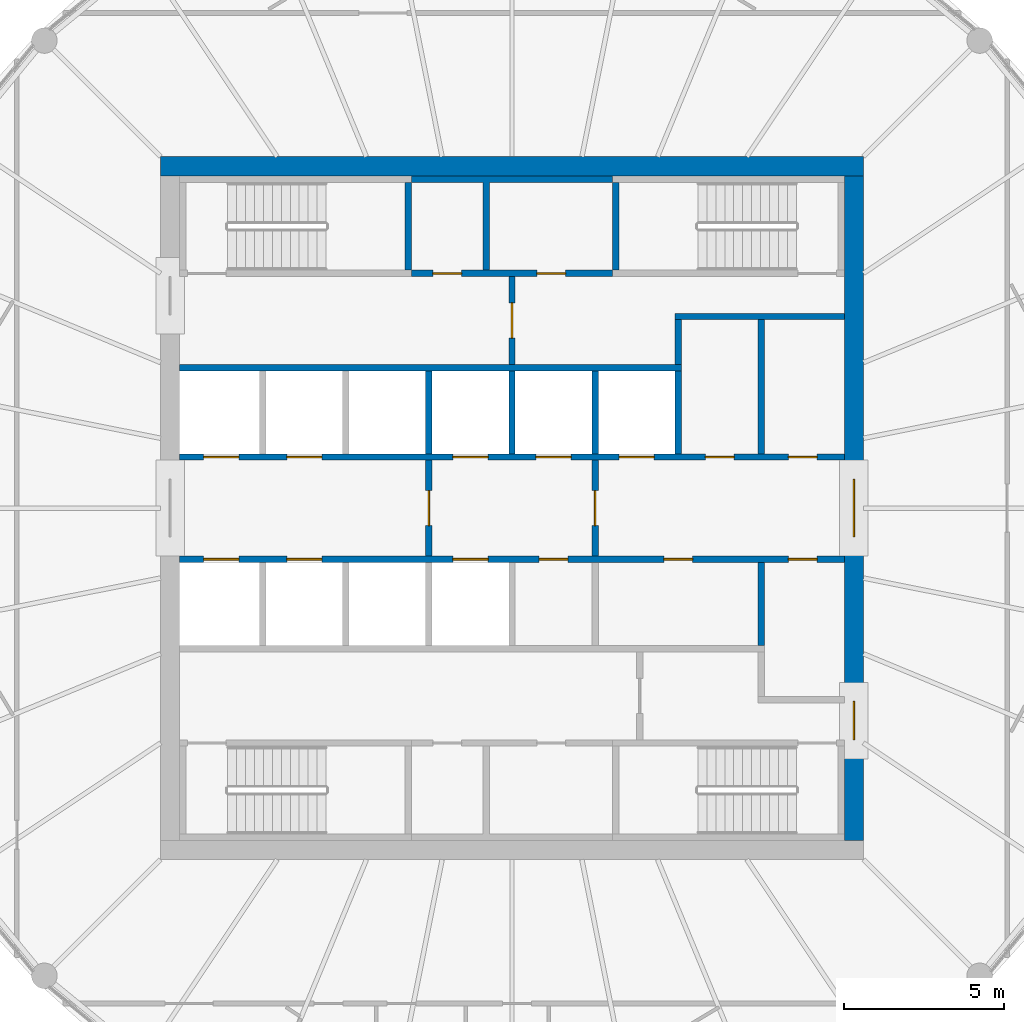
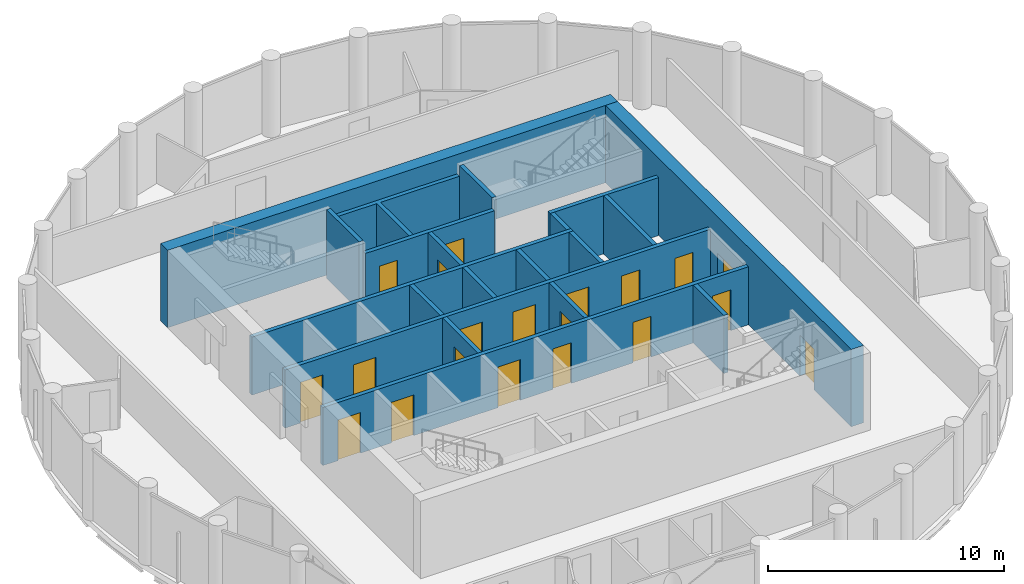
# One storey, part 5 of 7: 20 doors, 20 walls, 20 openings.
"""IFC4 building model written with IfcOpenShell, lengths in metres."""

from ifc_helpers import new_model, si_unit, direction, frame, frame_2d, origin, place, context, subcontext, project, spatial, polyline, rectangle, outline, extrude, material, layer, layer_set, type_object, element, fill, save


model = new_model("IFC4")

# Units and contexts
model_context = context("Model", 3, precision=1e-05, world=origin(), true_north=direction((0.0, 1.0)))
body_context = subcontext(model_context, "Body", "Model", "MODEL_VIEW")
ifc_project = project(units=[si_unit("LENGTHUNIT", "METRE"), si_unit("AREAUNIT", "SQUARE_METRE"), si_unit("VOLUMEUNIT", "CUBIC_METRE"), si_unit("PLANEANGLEUNIT", "RADIAN"), si_unit("MASSUNIT", "GRAM", prefix="KILO")], contexts=[model_context])

# Site, building, storey
site_placement = place(None, origin())
site = spatial("IfcSite", under=ifc_project, at=site_placement, CompositionType="ELEMENT")
building_placement = place(site_placement, origin())
building = spatial("IfcBuilding", under=site, at=building_placement, Name="Corvane Civic Tower", CompositionType="ELEMENT")
storey_placement = place(building_placement, frame((0.0, 0.0, 376.5)))
storey = spatial("IfcBuildingStorey", under=building, at=storey_placement, Name="L90", CompositionType="ELEMENT", Elevation=376.5)

# Wall
ifc_material_1 = material(Name="Concrete C40/50", Category="concrete")
ifc_layer_1 = layer(ifc_material_1, 0.60009765625)
ifc_layer_set_1 = layer_set([ifc_layer_1], Name="Concrete C40/50")
wall_type_1 = type_object("IfcWallType", Name="CORE WALL 600 C40/50", PredefinedType="SHEAR", material=ifc_layer_set_1)
wall_1_placement = place(storey_placement, frame((-11.0, 10.699951171875, 0.0), z_axis=(0.0, 0.0, 1.0), x_axis=(1.0, 0.0, 0.0)))
element("IfcWall", 1, at=wall_1_placement, inside=storey, type_object=wall_type_1, Name="W-L90-core-N", PredefinedType="SHEAR", context=body_context, shape_type="SweptSolid", body=[
    extrude(rectangle(XDim=22.0, YDim=0.60009765625, at=frame_2d((11.0, 0.0))), origin(), (0.0, 0.0, 1.0), 4.0),
])

# Wall, openings, doors
wall_2_placement = place(storey_placement, frame((10.699951171875, -10.39990234375, 0.0), z_axis=(0.0, 0.0, 1.0), x_axis=(0.0, 1.0, 0.0)))
wall_2 = element("IfcWall", 2, at=wall_2_placement, inside=storey, type_object=wall_type_1, Name="W-L90-core-E", PredefinedType="SHEAR", context=body_context, shape_type="SweptSolid", body=[
    extrude(rectangle(XDim=20.7998046875, YDim=0.60009765625, at=frame_2d((10.39990234375, 0.0))), origin(), (0.0, 0.0, 1.0), 4.0),
])
opening_1_placement = place(wall_2_placement, frame((9.5, 0.0, 0.0)))
opening_1 = element("IfcOpeningElement", 3, at=opening_1_placement, cuts=wall_2, Name="Opening L90.C19", PredefinedType="OPENING", context=body_context, shape_type="SweptSolid", body=[
    extrude(rectangle(XDim=1.800048828125, YDim=2.10009765625, at=frame_2d((0.89990234375, 1.050048828125))), frame((0.0, 0.31005859375, 0.0), z_axis=(0.0, -1.0, 0.0), x_axis=(1.0, 0.0, 0.0)), (0.0, 0.0, 1.0), 0.6201171875),
])
opening_2_placement = place(wall_2_placement, frame((3.14990234375, 0.0, 0.0)))
opening_2 = element("IfcOpeningElement", 4, at=opening_2_placement, cuts=wall_2, Name="Opening L90.C21", PredefinedType="OPENING", context=body_context, shape_type="SweptSolid", body=[
    extrude(rectangle(XDim=1.199951171875, YDim=2.10009765625, at=frame_2d((0.60009765625, 1.050048828125))), frame((0.0, 0.31005859375, 0.0), z_axis=(0.0, -1.0, 0.0), x_axis=(1.0, 0.0, 0.0)), (0.0, 0.0, 1.0), 0.6201171875),
])
ifc_material_2 = material(Name="Steel fire door leaf", Category="steel")
door_type_1 = type_object("IfcDoorType", Name="CR-DOOR-CORE-1800", OperationType="DOUBLE_DOOR_SINGLE_SWING", PredefinedType="DOOR", material=ifc_material_2)
door_1_placement = place(opening_1_placement, origin())
door_1 = element("IfcDoor", 5, at=door_1_placement, inside=storey, type_object=door_type_1, Name="L90 door", OperationType="DOUBLE_DOOR_SINGLE_SWING", OverallHeight=2.10009765625, OverallWidth=1.800048828125, PredefinedType="DOOR", context=body_context, shape_type="SweptSolid", body=[
    extrude(rectangle(XDim=1.800048828125, YDim=2.10009765625, at=frame_2d((0.89990234375, 1.050048828125))), frame((0.0, 0.02490234375, 0.0), z_axis=(0.0, -1.0, 0.0), x_axis=(1.0, 0.0, 0.0)), (0.0, 0.0, 1.0), 0.050048828125),
])
fill(opening_1, door_1)
door_2_placement = place(opening_2_placement, origin())
door_2 = element("IfcDoor", 6, at=door_2_placement, inside=storey, type_object=door_type_1, Name="L90 door", OperationType="DOUBLE_DOOR_SINGLE_SWING", OverallHeight=2.10009765625, OverallWidth=1.199951171875, PredefinedType="DOOR", context=body_context, shape_type="SweptSolid", body=[
    extrude(rectangle(XDim=1.199951171875, YDim=2.10009765625, at=frame_2d((0.60009765625, 1.050048828125))), frame((0.0, 0.02490234375, 0.0), z_axis=(0.0, -1.0, 0.0), x_axis=(1.0, 0.0, 0.0)), (0.0, 0.0, 1.0), 0.050048828125),
])
fill(opening_2, door_2)

ifc_material_3 = material(Name="Concrete C30/37", Category="concrete")
ifc_layer_2 = layer(ifc_material_3, 0.199951171875)
ifc_layer_set_2 = layer_set([ifc_layer_2], Name="Concrete C30/37")
wall_type_2 = type_object("IfcWallType", Name="CR-WALL-200", PredefinedType="PARTITIONING", material=ifc_layer_set_2)
wall_3_placement = place(storey_placement, frame((-10.39990234375, -1.60009765625, 0.0), z_axis=(0.0, 0.0, 1.0), x_axis=(1.0, 0.0, 0.0)))
wall_3 = element("IfcWall", 7, at=wall_3_placement, inside=storey, type_object=wall_type_2, Name="L90 lift shaft wall", PredefinedType="PARTITIONING", context=body_context, shape_type="SweptSolid", body=[
    extrude(rectangle(XDim=20.7998046875, YDim=0.199951171875, at=frame_2d((10.39990234375, 0.0))), origin(), (0.0, 0.0, 1.0), 3.0),
])
opening_3_placement = place(wall_3_placement, frame((0.75, 0.0, 0.0)))
opening_3 = element("IfcOpeningElement", 8, at=opening_3_placement, cuts=wall_3, Name="Opening LD", PredefinedType="OPENING", context=body_context, shape_type="SweptSolid", body=[
    extrude(rectangle(XDim=1.10009765625, YDim=2.10009765625, at=frame_2d((0.550048828125, 1.050048828125))), frame((0.0, 0.10986328125, 0.0), z_axis=(0.0, -1.0, 0.0), x_axis=(1.0, 0.0, 0.0)), (0.0, 0.0, 1.0), 0.219970703125),
])
opening_4_placement = place(wall_3_placement, frame((3.35009765625, 0.0, 0.0)))
opening_4 = element("IfcOpeningElement", 9, at=opening_4_placement, cuts=wall_3, Name="Opening LD", PredefinedType="OPENING", context=body_context, shape_type="SweptSolid", body=[
    extrude(rectangle(XDim=1.10009765625, YDim=2.10009765625, at=frame_2d((0.550048828125, 1.050048828125))), frame((0.0, 0.10986328125, 0.0), z_axis=(0.0, -1.0, 0.0), x_axis=(1.0, 0.0, 0.0)), (0.0, 0.0, 1.0), 0.219970703125),
])
opening_5_placement = place(wall_3_placement, frame((8.550048828125, 0.0, 0.0)))
opening_5 = element("IfcOpeningElement", 10, at=opening_5_placement, cuts=wall_3, Name="Opening LD", PredefinedType="OPENING", context=body_context, shape_type="SweptSolid", body=[
    extrude(rectangle(XDim=1.10009765625, YDim=2.10009765625, at=frame_2d((0.550048828125, 1.050048828125))), frame((0.0, 0.10986328125, 0.0), z_axis=(0.0, -1.0, 0.0), x_axis=(1.0, 0.0, 0.0)), (0.0, 0.0, 1.0), 0.219970703125),
])
opening_6_placement = place(wall_3_placement, frame((11.25, 0.0, 0.0)))
opening_6 = element("IfcOpeningElement", 11, at=opening_6_placement, cuts=wall_3, Name="Opening L90.C03", PredefinedType="OPENING", context=body_context, shape_type="SweptSolid", body=[
    extrude(rectangle(XDim=0.89990234375, YDim=2.10009765625, at=frame_2d((0.449951171875, 1.050048828125))), frame((0.0, 0.10986328125, 0.0), z_axis=(0.0, -1.0, 0.0), x_axis=(1.0, 0.0, 0.0)), (0.0, 0.0, 1.0), 0.219970703125),
])
opening_7_placement = place(wall_3_placement, frame((15.14990234375, 0.0, 0.0)))
opening_7 = element("IfcOpeningElement", 12, at=opening_7_placement, cuts=wall_3, Name="Opening L90.C04", PredefinedType="OPENING", context=body_context, shape_type="SweptSolid", body=[
    extrude(rectangle(XDim=0.89990234375, YDim=2.10009765625, at=frame_2d((0.449951171875, 1.050048828125))), frame((0.0, 0.10986328125, 0.0), z_axis=(0.0, -1.0, 0.0), x_axis=(1.0, 0.0, 0.0)), (0.0, 0.0, 1.0), 0.219970703125),
])
opening_8_placement = place(wall_3_placement, frame((19.050048828125, 0.0, 0.0)))
opening_8 = element("IfcOpeningElement", 13, at=opening_8_placement, cuts=wall_3, Name="Opening L90.C05", PredefinedType="OPENING", context=body_context, shape_type="SweptSolid", body=[
    extrude(rectangle(XDim=0.89990234375, YDim=2.10009765625, at=frame_2d((0.449951171875, 1.050048828125))), frame((0.0, 0.10986328125, 0.0), z_axis=(0.0, -1.0, 0.0), x_axis=(1.0, 0.0, 0.0)), (0.0, 0.0, 1.0), 0.219970703125),
])
ifc_material_4 = material(Name="Steel fire door leaf", Category="steel")
door_type_2 = type_object("IfcDoorType", Name="CR-DOOR-900", OperationType="SINGLE_SWING_LEFT", PredefinedType="DOOR", material=ifc_material_4)
door_3_placement = place(opening_6_placement, origin())
door_3 = element("IfcDoor", 14, at=door_3_placement, inside=storey, type_object=door_type_2, Name="L90 door", OperationType="SINGLE_SWING_LEFT", OverallHeight=2.10009765625, OverallWidth=0.89990234375, PredefinedType="DOOR", context=body_context, shape_type="SweptSolid", body=[
    extrude(rectangle(XDim=0.89990234375, YDim=2.10009765625, at=frame_2d((0.449951171875, 1.050048828125))), frame((0.0, 0.02490234375, 0.0), z_axis=(0.0, -1.0, 0.0), x_axis=(1.0, 0.0, 0.0)), (0.0, 0.0, 1.0), 0.050048828125),
])
fill(opening_6, door_3)
door_4_placement = place(opening_7_placement, origin())
door_4 = element("IfcDoor", 15, at=door_4_placement, inside=storey, type_object=door_type_2, Name="L90 door", OperationType="SINGLE_SWING_LEFT", OverallHeight=2.10009765625, OverallWidth=0.89990234375, PredefinedType="DOOR", context=body_context, shape_type="SweptSolid", body=[
    extrude(rectangle(XDim=0.89990234375, YDim=2.10009765625, at=frame_2d((0.449951171875, 1.050048828125))), frame((0.0, 0.02490234375, 0.0), z_axis=(0.0, -1.0, 0.0), x_axis=(1.0, 0.0, 0.0)), (0.0, 0.0, 1.0), 0.050048828125),
])
fill(opening_7, door_4)
door_5_placement = place(opening_8_placement, origin())
door_5 = element("IfcDoor", 16, at=door_5_placement, inside=storey, type_object=door_type_2, Name="L90 door", OperationType="SINGLE_SWING_LEFT", OverallHeight=2.10009765625, OverallWidth=0.89990234375, PredefinedType="DOOR", context=body_context, shape_type="SweptSolid", body=[
    extrude(rectangle(XDim=0.89990234375, YDim=2.10009765625, at=frame_2d((0.449951171875, 1.050048828125))), frame((0.0, 0.02490234375, 0.0), z_axis=(0.0, -1.0, 0.0), x_axis=(1.0, 0.0, 0.0)), (0.0, 0.0, 1.0), 0.050048828125),
])
fill(opening_8, door_5)
ifc_material_5 = material(Name="Stainless steel 316 door leaves", Category="steel")
door_type_3 = type_object("IfcDoorType", Name="LD", OperationType="DOUBLE_DOOR_SLIDING", PredefinedType="DOOR", material=ifc_material_5)
door_6_placement = place(opening_3_placement, origin())
door_6 = element("IfcDoor", 17, at=door_6_placement, inside=storey, type_object=door_type_3, Name="L90 landing door", OperationType="DOUBLE_DOOR_SLIDING", OverallHeight=2.10009765625, OverallWidth=1.10009765625, PredefinedType="DOOR", context=body_context, shape_type="SweptSolid", body=[
    extrude(rectangle(XDim=1.10009765625, YDim=2.10009765625, at=frame_2d((0.550048828125, 1.050048828125))), frame((0.0, 0.02490234375, 0.0), z_axis=(0.0, -1.0, 0.0), x_axis=(1.0, 0.0, 0.0)), (0.0, 0.0, 1.0), 0.050048828125),
])
fill(opening_3, door_6)
door_7_placement = place(opening_4_placement, origin())
door_7 = element("IfcDoor", 18, at=door_7_placement, inside=storey, type_object=door_type_3, Name="L90 landing door", OperationType="DOUBLE_DOOR_SLIDING", OverallHeight=2.10009765625, OverallWidth=1.10009765625, PredefinedType="DOOR", context=body_context, shape_type="SweptSolid", body=[
    extrude(rectangle(XDim=1.10009765625, YDim=2.10009765625, at=frame_2d((0.550048828125, 1.050048828125))), frame((0.0, 0.02490234375, 0.0), z_axis=(0.0, -1.0, 0.0), x_axis=(1.0, 0.0, 0.0)), (0.0, 0.0, 1.0), 0.050048828125),
])
fill(opening_4, door_7)
door_8_placement = place(opening_5_placement, origin())
door_8 = element("IfcDoor", 19, at=door_8_placement, inside=storey, type_object=door_type_3, Name="L90 landing door", OperationType="DOUBLE_DOOR_SLIDING", OverallHeight=2.10009765625, OverallWidth=1.10009765625, PredefinedType="DOOR", context=body_context, shape_type="SweptSolid", body=[
    extrude(rectangle(XDim=1.10009765625, YDim=2.10009765625, at=frame_2d((0.550048828125, 1.050048828125))), frame((0.0, 0.02490234375, 0.0), z_axis=(0.0, -1.0, 0.0), x_axis=(1.0, 0.0, 0.0)), (0.0, 0.0, 1.0), 0.050048828125),
])
fill(opening_5, door_8)

wall_4_placement = place(storey_placement, frame((-10.39990234375, 1.60009765625, 0.0), z_axis=(0.0, 0.0, 1.0), x_axis=(1.0, 0.0, 0.0)))
wall_4 = element("IfcWall", 20, at=wall_4_placement, inside=storey, type_object=wall_type_2, Name="L90 lift shaft wall", PredefinedType="PARTITIONING", context=body_context, shape_type="SweptSolid", body=[
    extrude(rectangle(XDim=20.7998046875, YDim=0.199951171875, at=frame_2d((10.39990234375, 0.0))), origin(), (0.0, 0.0, 1.0), 3.0),
])
opening_9_placement = place(wall_4_placement, frame((0.75, 0.0, 0.0)))
opening_9 = element("IfcOpeningElement", 21, at=opening_9_placement, cuts=wall_4, Name="Opening LD", PredefinedType="OPENING", context=body_context, shape_type="SweptSolid", body=[
    extrude(rectangle(XDim=1.10009765625, YDim=2.10009765625, at=frame_2d((0.550048828125, 1.050048828125))), frame((0.0, 0.10986328125, 0.0), z_axis=(0.0, -1.0, 0.0), x_axis=(1.0, 0.0, 0.0)), (0.0, 0.0, 1.0), 0.219970703125),
])
opening_10_placement = place(wall_4_placement, frame((3.35009765625, 0.0, 0.0)))
opening_10 = element("IfcOpeningElement", 22, at=opening_10_placement, cuts=wall_4, Name="Opening LD", PredefinedType="OPENING", context=body_context, shape_type="SweptSolid", body=[
    extrude(rectangle(XDim=1.10009765625, YDim=2.10009765625, at=frame_2d((0.550048828125, 1.050048828125))), frame((0.0, 0.10986328125, 0.0), z_axis=(0.0, -1.0, 0.0), x_axis=(1.0, 0.0, 0.0)), (0.0, 0.0, 1.0), 0.219970703125),
])
opening_11_placement = place(wall_4_placement, frame((8.550048828125, 0.0, 0.0)))
opening_11 = element("IfcOpeningElement", 23, at=opening_11_placement, cuts=wall_4, Name="Opening LD", PredefinedType="OPENING", context=body_context, shape_type="SweptSolid", body=[
    extrude(rectangle(XDim=1.10009765625, YDim=2.10009765625, at=frame_2d((0.550048828125, 1.050048828125))), frame((0.0, 0.10986328125, 0.0), z_axis=(0.0, -1.0, 0.0), x_axis=(1.0, 0.0, 0.0)), (0.0, 0.0, 1.0), 0.219970703125),
])
opening_12_placement = place(wall_4_placement, frame((11.14990234375, 0.0, 0.0)))
opening_12 = element("IfcOpeningElement", 24, at=opening_12_placement, cuts=wall_4, Name="Opening LD", PredefinedType="OPENING", context=body_context, shape_type="SweptSolid", body=[
    extrude(rectangle(XDim=1.10009765625, YDim=2.10009765625, at=frame_2d((0.550048828125, 1.050048828125))), frame((0.0, 0.10986328125, 0.0), z_axis=(0.0, -1.0, 0.0), x_axis=(1.0, 0.0, 0.0)), (0.0, 0.0, 1.0), 0.219970703125),
])
opening_13_placement = place(wall_4_placement, frame((13.75, 0.0, 0.0)))
opening_13 = element("IfcOpeningElement", 25, at=opening_13_placement, cuts=wall_4, Name="Opening LD", PredefinedType="OPENING", context=body_context, shape_type="SweptSolid", body=[
    extrude(rectangle(XDim=1.10009765625, YDim=2.10009765625, at=frame_2d((0.550048828125, 1.050048828125))), frame((0.0, 0.10986328125, 0.0), z_axis=(0.0, -1.0, 0.0), x_axis=(1.0, 0.0, 0.0)), (0.0, 0.0, 1.0), 0.219970703125),
])
opening_14_placement = place(wall_4_placement, frame((16.449951171875, 0.0, 0.0)))
opening_14 = element("IfcOpeningElement", 26, at=opening_14_placement, cuts=wall_4, Name="Opening L90.C01", PredefinedType="OPENING", context=body_context, shape_type="SweptSolid", body=[
    extrude(rectangle(XDim=0.89990234375, YDim=2.10009765625, at=frame_2d((0.449951171875, 1.050048828125))), frame((0.0, 0.10986328125, 0.0), z_axis=(0.0, -1.0, 0.0), x_axis=(1.0, 0.0, 0.0)), (0.0, 0.0, 1.0), 0.219970703125),
])
opening_15_placement = place(wall_4_placement, frame((19.050048828125, 0.0, 0.0)))
opening_15 = element("IfcOpeningElement", 27, at=opening_15_placement, cuts=wall_4, Name="Opening L90.C02", PredefinedType="OPENING", context=body_context, shape_type="SweptSolid", body=[
    extrude(rectangle(XDim=0.89990234375, YDim=2.10009765625, at=frame_2d((0.449951171875, 1.050048828125))), frame((0.0, 0.10986328125, 0.0), z_axis=(0.0, -1.0, 0.0), x_axis=(1.0, 0.0, 0.0)), (0.0, 0.0, 1.0), 0.219970703125),
])
door_9_placement = place(opening_14_placement, origin())
door_9 = element("IfcDoor", 28, at=door_9_placement, inside=storey, type_object=door_type_2, Name="L90 door", OperationType="SINGLE_SWING_LEFT", OverallHeight=2.10009765625, OverallWidth=0.89990234375, PredefinedType="DOOR", context=body_context, shape_type="SweptSolid", body=[
    extrude(rectangle(XDim=0.89990234375, YDim=2.10009765625, at=frame_2d((0.449951171875, 1.050048828125))), frame((0.0, 0.02490234375, 0.0), z_axis=(0.0, -1.0, 0.0), x_axis=(1.0, 0.0, 0.0)), (0.0, 0.0, 1.0), 0.050048828125),
])
fill(opening_14, door_9)
door_10_placement = place(opening_15_placement, origin())
door_10 = element("IfcDoor", 29, at=door_10_placement, inside=storey, type_object=door_type_2, Name="L90 door", OperationType="SINGLE_SWING_LEFT", OverallHeight=2.10009765625, OverallWidth=0.89990234375, PredefinedType="DOOR", context=body_context, shape_type="SweptSolid", body=[
    extrude(rectangle(XDim=0.89990234375, YDim=2.10009765625, at=frame_2d((0.449951171875, 1.050048828125))), frame((0.0, 0.02490234375, 0.0), z_axis=(0.0, -1.0, 0.0), x_axis=(1.0, 0.0, 0.0)), (0.0, 0.0, 1.0), 0.050048828125),
])
fill(opening_15, door_10)
door_11_placement = place(opening_9_placement, origin())
door_11 = element("IfcDoor", 30, at=door_11_placement, inside=storey, type_object=door_type_3, Name="L90 landing door", OperationType="DOUBLE_DOOR_SLIDING", OverallHeight=2.10009765625, OverallWidth=1.10009765625, PredefinedType="DOOR", context=body_context, shape_type="SweptSolid", body=[
    extrude(rectangle(XDim=1.10009765625, YDim=2.10009765625, at=frame_2d((0.550048828125, 1.050048828125))), frame((0.0, 0.02490234375, 0.0), z_axis=(0.0, -1.0, 0.0), x_axis=(1.0, 0.0, 0.0)), (0.0, 0.0, 1.0), 0.050048828125),
])
fill(opening_9, door_11)
door_12_placement = place(opening_10_placement, origin())
door_12 = element("IfcDoor", 31, at=door_12_placement, inside=storey, type_object=door_type_3, Name="L90 landing door", OperationType="DOUBLE_DOOR_SLIDING", OverallHeight=2.10009765625, OverallWidth=1.10009765625, PredefinedType="DOOR", context=body_context, shape_type="SweptSolid", body=[
    extrude(rectangle(XDim=1.10009765625, YDim=2.10009765625, at=frame_2d((0.550048828125, 1.050048828125))), frame((0.0, 0.02490234375, 0.0), z_axis=(0.0, -1.0, 0.0), x_axis=(1.0, 0.0, 0.0)), (0.0, 0.0, 1.0), 0.050048828125),
])
fill(opening_10, door_12)
door_13_placement = place(opening_11_placement, origin())
door_13 = element("IfcDoor", 32, at=door_13_placement, inside=storey, type_object=door_type_3, Name="L90 landing door", OperationType="DOUBLE_DOOR_SLIDING", OverallHeight=2.10009765625, OverallWidth=1.10009765625, PredefinedType="DOOR", context=body_context, shape_type="SweptSolid", body=[
    extrude(rectangle(XDim=1.10009765625, YDim=2.10009765625, at=frame_2d((0.550048828125, 1.050048828125))), frame((0.0, 0.02490234375, 0.0), z_axis=(0.0, -1.0, 0.0), x_axis=(1.0, 0.0, 0.0)), (0.0, 0.0, 1.0), 0.050048828125),
])
fill(opening_11, door_13)
door_14_placement = place(opening_12_placement, origin())
door_14 = element("IfcDoor", 33, at=door_14_placement, inside=storey, type_object=door_type_3, Name="L90 landing door", OperationType="DOUBLE_DOOR_SLIDING", OverallHeight=2.10009765625, OverallWidth=1.10009765625, PredefinedType="DOOR", context=body_context, shape_type="SweptSolid", body=[
    extrude(rectangle(XDim=1.10009765625, YDim=2.10009765625, at=frame_2d((0.550048828125, 1.050048828125))), frame((0.0, 0.02490234375, 0.0), z_axis=(0.0, -1.0, 0.0), x_axis=(1.0, 0.0, 0.0)), (0.0, 0.0, 1.0), 0.050048828125),
])
fill(opening_12, door_14)
door_15_placement = place(opening_13_placement, origin())
door_15 = element("IfcDoor", 34, at=door_15_placement, inside=storey, type_object=door_type_3, Name="L90 landing door", OperationType="DOUBLE_DOOR_SLIDING", OverallHeight=2.10009765625, OverallWidth=1.10009765625, PredefinedType="DOOR", context=body_context, shape_type="SweptSolid", body=[
    extrude(rectangle(XDim=1.10009765625, YDim=2.10009765625, at=frame_2d((0.550048828125, 1.050048828125))), frame((0.0, 0.02490234375, 0.0), z_axis=(0.0, -1.0, 0.0), x_axis=(1.0, 0.0, 0.0)), (0.0, 0.0, 1.0), 0.050048828125),
])
fill(opening_13, door_15)

wall_5_placement = place(storey_placement, frame((-3.14990234375, 7.35009765625, 0.0), z_axis=(0.0, 0.0, 1.0), x_axis=(1.0, 0.0, 0.0)))
wall_5 = element("IfcWall", 35, at=wall_5_placement, inside=storey, type_object=wall_type_2, Name="L90 partition wall", PredefinedType="PARTITIONING", context=body_context, shape_type="SweptSolid", body=[
    extrude(rectangle(XDim=6.2998046875, YDim=0.199951171875, at=frame_2d((3.14990234375, 0.0))), origin(), (0.0, 0.0, 1.0), 3.0),
])
opening_16_placement = place(wall_5_placement, frame((0.675048828125, 0.0, 0.0)))
opening_16 = element("IfcOpeningElement", 36, at=opening_16_placement, cuts=wall_5, Name="Opening L90.C06", PredefinedType="OPENING", context=body_context, shape_type="SweptSolid", body=[
    extrude(rectangle(XDim=0.89990234375, YDim=2.10009765625, at=frame_2d((0.449951171875, 1.050048828125))), frame((0.0, 0.10986328125, 0.0), z_axis=(0.0, -1.0, 0.0), x_axis=(1.0, 0.0, 0.0)), (0.0, 0.0, 1.0), 0.219970703125),
])
opening_17_placement = place(wall_5_placement, frame((3.925048828125, 0.0, 0.0)))
opening_17 = element("IfcOpeningElement", 37, at=opening_17_placement, cuts=wall_5, Name="Opening L90.C07", PredefinedType="OPENING", context=body_context, shape_type="SweptSolid", body=[
    extrude(rectangle(XDim=0.89990234375, YDim=2.10009765625, at=frame_2d((0.449951171875, 1.050048828125))), frame((0.0, 0.10986328125, 0.0), z_axis=(0.0, -1.0, 0.0), x_axis=(1.0, 0.0, 0.0)), (0.0, 0.0, 1.0), 0.219970703125),
])
door_16_placement = place(opening_16_placement, origin())
door_16 = element("IfcDoor", 38, at=door_16_placement, inside=storey, type_object=door_type_2, Name="L90 door", OperationType="SINGLE_SWING_LEFT", OverallHeight=2.10009765625, OverallWidth=0.89990234375, PredefinedType="DOOR", context=body_context, shape_type="SweptSolid", body=[
    extrude(rectangle(XDim=0.89990234375, YDim=2.10009765625, at=frame_2d((0.449951171875, 1.050048828125))), frame((0.0, 0.02490234375, 0.0), z_axis=(0.0, -1.0, 0.0), x_axis=(1.0, 0.0, 0.0)), (0.0, 0.0, 1.0), 0.050048828125),
])
fill(opening_16, door_16)
door_17_placement = place(opening_17_placement, origin())
door_17 = element("IfcDoor", 39, at=door_17_placement, inside=storey, type_object=door_type_2, Name="L90 door", OperationType="SINGLE_SWING_LEFT", OverallHeight=2.10009765625, OverallWidth=0.89990234375, PredefinedType="DOOR", context=body_context, shape_type="SweptSolid", body=[
    extrude(rectangle(XDim=0.89990234375, YDim=2.10009765625, at=frame_2d((0.449951171875, 1.050048828125))), frame((0.0, 0.02490234375, 0.0), z_axis=(0.0, -1.0, 0.0), x_axis=(1.0, 0.0, 0.0)), (0.0, 0.0, 1.0), 0.050048828125),
])
fill(opening_17, door_17)

# Wall, opening, door
wall_6_placement = place(storey_placement, frame((-2.60009765625, -1.5, 0.0), z_axis=(0.0, 0.0, 1.0), x_axis=(0.0, 1.0, 0.0)))
wall_6 = element("IfcWall", 40, at=wall_6_placement, inside=storey, type_object=wall_type_2, Name="L90 firefighting lobby wall", PredefinedType="PARTITIONING", context=body_context, shape_type="SweptSolid", body=[
    extrude(rectangle(XDim=3.0, YDim=0.199951171875, at=frame_2d((1.5, 0.0))), origin(), (0.0, 0.0, 1.0), 3.0),
])
opening_18_placement = place(wall_6_placement, frame((0.949951171875, 0.0, 0.0)))
opening_18 = element("IfcOpeningElement", 41, at=opening_18_placement, cuts=wall_6, Name="Opening L90.C14", PredefinedType="OPENING", context=body_context, shape_type="SweptSolid", body=[
    extrude(rectangle(XDim=1.10009765625, YDim=2.10009765625, at=frame_2d((0.550048828125, 1.050048828125))), frame((0.0, 0.10986328125, 0.0), z_axis=(0.0, -1.0, 0.0), x_axis=(1.0, 0.0, 0.0)), (0.0, 0.0, 1.0), 0.219970703125),
])
ifc_material_6 = material(Name="Steel fire door leaf", Category="steel")
door_type_4 = type_object("IfcDoorType", Name="CR-DOOR-FFL-1100", OperationType="SINGLE_SWING_LEFT", PredefinedType="DOOR", material=ifc_material_6)
door_18_placement = place(opening_18_placement, origin())
door_18 = element("IfcDoor", 42, at=door_18_placement, inside=storey, type_object=door_type_4, Name="L90 lobby door", OperationType="SINGLE_SWING_LEFT", OverallHeight=2.10009765625, OverallWidth=1.10009765625, PredefinedType="DOOR", context=body_context, shape_type="SweptSolid", body=[
    extrude(rectangle(XDim=1.10009765625, YDim=2.10009765625, at=frame_2d((0.550048828125, 1.050048828125))), frame((0.0, 0.02490234375, 0.0), z_axis=(0.0, -1.0, 0.0), x_axis=(1.0, 0.0, 0.0)), (0.0, 0.0, 1.0), 0.050048828125),
])
fill(opening_18, door_18)

wall_7_placement = place(storey_placement, frame((0.0, 4.5, 0.0), z_axis=(0.0, 0.0, 1.0), x_axis=(0.0, 1.0, 0.0)))
wall_7 = element("IfcWall", 43, at=wall_7_placement, inside=storey, type_object=wall_type_2, Name="L90 core partition wall", PredefinedType="PARTITIONING", context=body_context, shape_type="SweptSolid", body=[
    extrude(rectangle(XDim=2.75, YDim=0.199951171875, at=frame_2d((1.375, 0.0))), origin(), (0.0, 0.0, 1.0), 3.0),
])
opening_19_placement = place(wall_7_placement, frame((0.824951171875, 0.0, 0.0)))
opening_19 = element("IfcOpeningElement", 44, at=opening_19_placement, cuts=wall_7, Name="Opening L90.C16", PredefinedType="OPENING", context=body_context, shape_type="SweptSolid", body=[
    extrude(rectangle(XDim=1.10009765625, YDim=2.10009765625, at=frame_2d((0.550048828125, 1.050048828125))), frame((0.0, 0.10986328125, 0.0), z_axis=(0.0, -1.0, 0.0), x_axis=(1.0, 0.0, 0.0)), (0.0, 0.0, 1.0), 0.219970703125),
])
door_19_placement = place(opening_19_placement, origin())
door_19 = element("IfcDoor", 45, at=door_19_placement, inside=storey, type_object=door_type_4, Name="L90 lobby door", OperationType="SINGLE_SWING_LEFT", OverallHeight=2.10009765625, OverallWidth=1.10009765625, PredefinedType="DOOR", context=body_context, shape_type="SweptSolid", body=[
    extrude(rectangle(XDim=1.10009765625, YDim=2.10009765625, at=frame_2d((0.550048828125, 1.050048828125))), frame((0.0, 0.02490234375, 0.0), z_axis=(0.0, -1.0, 0.0), x_axis=(1.0, 0.0, 0.0)), (0.0, 0.0, 1.0), 0.050048828125),
])
fill(opening_19, door_19)

wall_8_placement = place(storey_placement, frame((2.60009765625, -1.5, 0.0), z_axis=(0.0, 0.0, 1.0), x_axis=(0.0, 1.0, 0.0)))
wall_8 = element("IfcWall", 46, at=wall_8_placement, inside=storey, type_object=wall_type_2, Name="L90 firefighting lobby wall", PredefinedType="PARTITIONING", context=body_context, shape_type="SweptSolid", body=[
    extrude(rectangle(XDim=3.0, YDim=0.199951171875, at=frame_2d((1.5, 0.0))), origin(), (0.0, 0.0, 1.0), 3.0),
])
opening_20_placement = place(wall_8_placement, frame((0.949951171875, 0.0, 0.0)))
opening_20 = element("IfcOpeningElement", 47, at=opening_20_placement, cuts=wall_8, Name="Opening L90.C15", PredefinedType="OPENING", context=body_context, shape_type="SweptSolid", body=[
    extrude(rectangle(XDim=1.10009765625, YDim=2.10009765625, at=frame_2d((0.550048828125, 1.050048828125))), frame((0.0, 0.10986328125, 0.0), z_axis=(0.0, -1.0, 0.0), x_axis=(1.0, 0.0, 0.0)), (0.0, 0.0, 1.0), 0.219970703125),
])
door_20_placement = place(opening_20_placement, origin())
door_20 = element("IfcDoor", 48, at=door_20_placement, inside=storey, type_object=door_type_4, Name="L90 lobby door", OperationType="SINGLE_SWING_LEFT", OverallHeight=2.10009765625, OverallWidth=1.10009765625, PredefinedType="DOOR", context=body_context, shape_type="SweptSolid", body=[
    extrude(rectangle(XDim=1.10009765625, YDim=2.10009765625, at=frame_2d((0.550048828125, 1.050048828125))), frame((0.0, 0.02490234375, 0.0), z_axis=(0.0, -1.0, 0.0), x_axis=(1.0, 0.0, 0.0)), (0.0, 0.0, 1.0), 0.050048828125),
])
fill(opening_20, door_20)

# Walls
wall_9_placement = place(storey_placement, origin())
element("IfcWall", 49, at=wall_9_placement, inside=storey, type_object=wall_type_2, Name="L90 core partition wall", PredefinedType="PARTITIONING", context=body_context, shape_type="SweptSolid", body=[
    extrude(outline(polyline([(7.89990234375, -1.699951171875), (7.89990234375, -4.2998046875), (7.699951171875, -4.2998046875), (7.699951171875, -1.699951171875), (7.89990234375, -1.699951171875)])), origin(), (0.0, 0.0, 1.0), 3.0),
])
wall_10_placement = place(storey_placement, origin())
element("IfcWall", 50, at=wall_10_placement, inside=storey, type_object=wall_type_2, Name="L90 core partition wall", PredefinedType="PARTITIONING", context=body_context, shape_type="SweptSolid", body=[
    extrude(outline(polyline([(5.300048828125, 4.5), (5.300048828125, 4.300048828125), (-10.39990234375, 4.300048828125), (-10.39990234375, 4.5), (5.300048828125, 4.5)])), origin(), (0.0, 0.0, 1.0), 3.0),
])
wall_11_placement = place(storey_placement, origin())
element("IfcWall", 51, at=wall_11_placement, inside=storey, type_object=wall_type_2, Name="L90 core partition wall", PredefinedType="PARTITIONING", context=body_context, shape_type="SweptSolid", body=[
    extrude(outline(polyline([(10.39990234375, 5.89990234375), (5.10009765625, 5.89990234375), (5.10009765625, 6.10009765625), (10.39990234375, 6.10009765625), (10.39990234375, 5.89990234375)])), origin(), (0.0, 0.0, 1.0), 3.0),
])
wall_12_placement = place(storey_placement, origin())
element("IfcWall", 52, at=wall_12_placement, inside=storey, type_object=wall_type_2, Name="L90 core partition wall", PredefinedType="PARTITIONING", context=body_context, shape_type="SweptSolid", body=[
    extrude(outline(polyline([(7.89990234375, 1.699951171875), (7.699951171875, 1.699951171875), (7.699951171875, 5.89990234375), (7.89990234375, 5.89990234375), (7.89990234375, 1.699951171875)])), origin(), (0.0, 0.0, 1.0), 3.0),
])
wall_13_placement = place(storey_placement, origin())
element("IfcWall", 53, at=wall_13_placement, inside=storey, type_object=wall_type_2, Name="L90 core partition wall", PredefinedType="PARTITIONING", context=body_context, shape_type="SweptSolid", body=[
    extrude(outline(polyline([(-2.5, 1.699951171875), (-2.699951171875, 1.699951171875), (-2.699951171875, 4.2998046875), (-2.5, 4.2998046875), (-2.5, 1.699951171875)])), origin(), (0.0, 0.0, 1.0), 3.0),
])
wall_14_placement = place(storey_placement, origin())
element("IfcWall", 54, at=wall_14_placement, inside=storey, type_object=wall_type_2, Name="L90 core partition wall", PredefinedType="PARTITIONING", context=body_context, shape_type="SweptSolid", body=[
    extrude(outline(polyline([(2.699951171875, 1.699951171875), (2.5, 1.699951171875), (2.5, 4.2998046875), (2.699951171875, 4.2998046875), (2.699951171875, 1.699951171875)])), origin(), (0.0, 0.0, 1.0), 3.0),
])
wall_15_placement = place(storey_placement, origin())
element("IfcWall", 55, at=wall_15_placement, inside=storey, type_object=wall_type_2, Name="L90 core partition wall", PredefinedType="PARTITIONING", context=body_context, shape_type="SweptSolid", body=[
    extrude(outline(polyline([(0.10009765625, 1.699951171875), (-0.10009765625, 1.699951171875), (-0.10009765625, 4.2998046875), (0.10009765625, 4.2998046875), (0.10009765625, 1.699951171875)])), origin(), (0.0, 0.0, 1.0), 3.0),
])
wall_16_placement = place(storey_placement, origin())
element("IfcWall", 56, at=wall_16_placement, inside=storey, type_object=wall_type_2, Name="L90 core partition wall", PredefinedType="PARTITIONING", context=body_context, shape_type="SweptSolid", body=[
    extrude(outline(polyline([(5.300048828125, 1.699951171875), (5.10009765625, 1.699951171875), (5.10009765625, 4.2998046875), (5.300048828125, 4.2998046875), (5.300048828125, 1.699951171875)])), origin(), (0.0, 0.0, 1.0), 3.0),
])
wall_17_placement = place(storey_placement, origin())
element("IfcWall", 57, at=wall_17_placement, inside=storey, type_object=wall_type_2, Name="L90 core partition wall", PredefinedType="PARTITIONING", context=body_context, shape_type="SweptSolid", body=[
    extrude(outline(polyline([(5.300048828125, 4.5), (5.10009765625, 4.5), (5.10009765625, 5.89990234375), (5.300048828125, 5.89990234375), (5.300048828125, 4.5)])), origin(), (0.0, 0.0, 1.0), 3.0),
])
wall_18_placement = place(storey_placement, origin())
element("IfcWall", 58, at=wall_18_placement, inside=storey, type_object=wall_type_2, Name="L90 core partition wall", PredefinedType="PARTITIONING", context=body_context, shape_type="SweptSolid", body=[
    extrude(outline(polyline([(-0.699951171875, 7.449951171875), (-0.89990234375, 7.449951171875), (-0.89990234375, 10.199951171875), (-3.14990234375, 10.199951171875), (-3.14990234375, 10.39990234375), (3.14990234375, 10.39990234375), (3.14990234375, 10.199951171875), (-0.699951171875, 10.199951171875), (-0.699951171875, 7.449951171875)])), origin(), (0.0, 0.0, 1.0), 3.0),
])
ifc_material_7 = material(Name="Concrete C50/60", Category="concrete")
ifc_layer_3 = layer(ifc_material_7, 0.199951171875)
ifc_layer_set_3 = layer_set([ifc_layer_3], Name="Concrete C50/60")
wall_type_3 = type_object("IfcWallType", Name="ST-WALL-200", PredefinedType="SHEAR", material=ifc_layer_set_3)
wall_19_placement = place(storey_placement, origin())
element("IfcWall", 59, at=wall_19_placement, inside=storey, type_object=wall_type_3, Name="L90 stair enclosure wall", PredefinedType="SHEAR", context=body_context, shape_type="SweptSolid", body=[
    extrude(outline(polyline([(-3.14990234375, 7.449951171875), (-3.35009765625, 7.449951171875), (-3.35009765625, 10.199951171875), (-3.14990234375, 10.199951171875), (-3.14990234375, 7.449951171875)])), origin(), (0.0, 0.0, 1.0), 3.550048828125),
])
wall_20_placement = place(storey_placement, origin())
element("IfcWall", 60, at=wall_20_placement, inside=storey, type_object=wall_type_3, Name="L90 stair enclosure wall", PredefinedType="SHEAR", context=body_context, shape_type="SweptSolid", body=[
    extrude(outline(polyline([(3.35009765625, 7.449951171875), (3.14990234375, 7.449951171875), (3.14990234375, 10.199951171875), (3.35009765625, 10.199951171875), (3.35009765625, 7.449951171875)])), origin(), (0.0, 0.0, 1.0), 3.550048828125),
])

save(model, "model.ifc")
